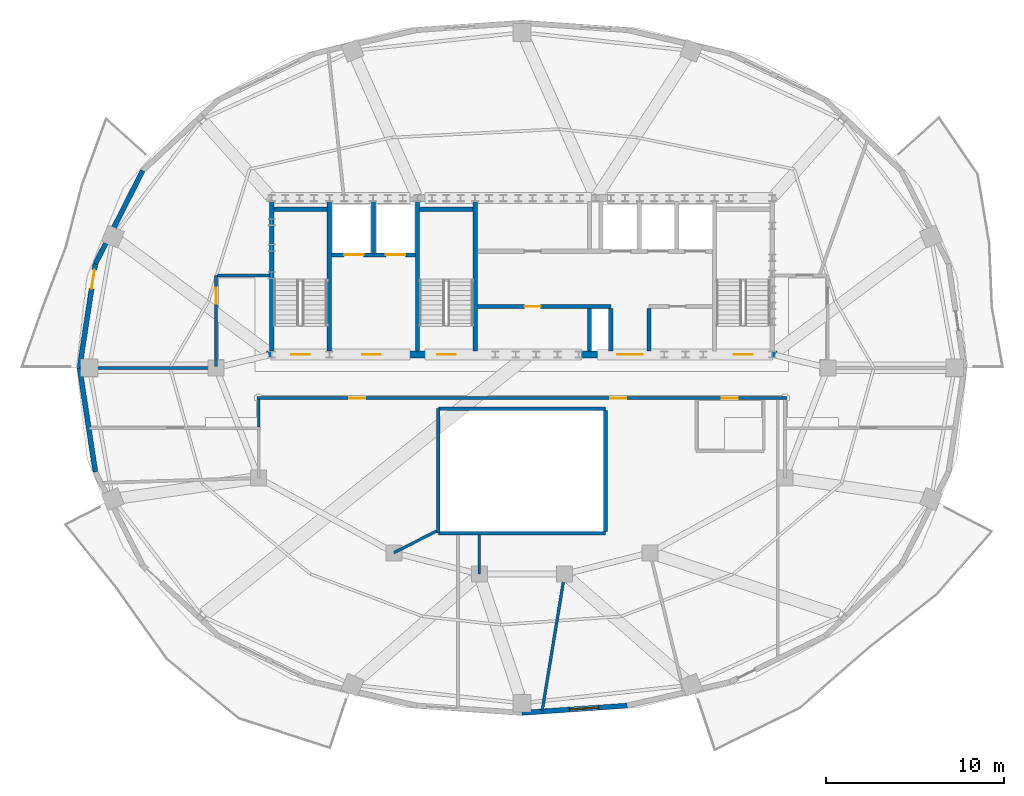
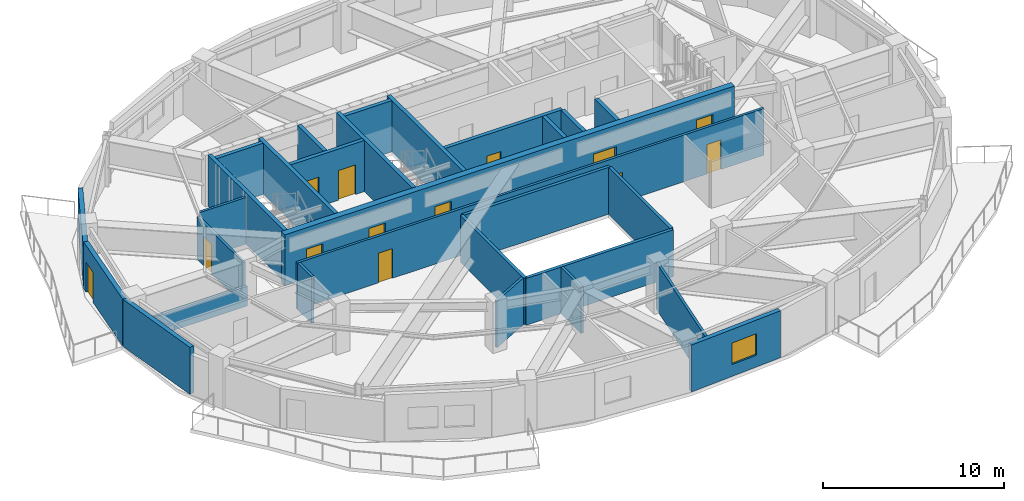
# One storey, part 4 of 10: 29 walls, 13 doors, 1 window, 14 openings.
"""IFC4 building model written with IfcOpenShell, lengths in metres."""

from ifc_helpers import new_model, si_unit, direction, frame, frame_2d, origin, place, context, subcontext, project, spatial, rectangle, extrude, material, layer, layer_set, type_object, element, fill, save


model = new_model("IFC4")

# Units and contexts
model_context = context("Model", 3, precision=1e-05, world=origin(), true_north=direction((0.0, 1.0)))
body_context = subcontext(model_context, "Body", "Model", "MODEL_VIEW")
ifc_project = project(units=[si_unit("LENGTHUNIT", "METRE"), si_unit("AREAUNIT", "SQUARE_METRE"), si_unit("VOLUMEUNIT", "CUBIC_METRE"), si_unit("PLANEANGLEUNIT", "RADIAN"), si_unit("MASSUNIT", "GRAM", prefix="KILO")], contexts=[model_context])

# Site, building, storey
site_placement = place(None, origin())
site = spatial("IfcSite", under=ifc_project, at=site_placement, CompositionType="ELEMENT")
building_placement = place(site_placement, origin())
building = spatial("IfcBuilding", under=site, at=building_placement, Name="Haldorwick Loom Tower", CompositionType="ELEMENT")
storey_placement = place(building_placement, frame((0.0, 0.0, 269.550048828125)))
storey = spatial("IfcBuildingStorey", under=building, at=storey_placement, Name="L73", CompositionType="ELEMENT", Elevation=269.550048828125)

# Wall
ifc_material_1 = material(Name="Pressed Clay Face Brick and Insulated Masonry Backup Assembly", Category="masonry")
ifc_layer_1 = layer(ifc_material_1, 0.280029296875, Name="Pressed Clay Face Brick and Insulated Masonry Backup Assembly", Category="masonry")
ifc_layer_set_1 = layer_set([ifc_layer_1], Name="Pressed Clay Face Brick and Insulated Masonry Backup Assembly")
wall_type_1 = type_object("IfcWallType", Name="ARC-WL-EXT280", PredefinedType="STANDARD", material=ifc_layer_set_1)
wall_1_placement = place(storey_placement, frame((14.677490234375, 37.08984375, 0.0), z_axis=(0.0, 0.0, 1.0), x_axis=(-0.453100705059, -0.89145933787, 0.0)))
element("IfcWall", 1, at=wall_1_placement, inside=storey, type_object=wall_type_1, Name="L73 Brick Pier and Spandrel Wall 11", PredefinedType="STANDARD", context=body_context, shape_type="SweptSolid", body=[
    extrude(rectangle(XDim=5.879150390625, YDim=0.280029296875, at=frame_2d((2.939453125, 0.0))), origin(), (0.0, 0.0, 1.0), 2.678955078125),
])

# Wall, opening, door
wall_2_placement = place(storey_placement, frame((12.013671875, 31.848876953125, 0.0), z_axis=(0.0, 0.0, 1.0), x_axis=(-0.150497234153, -0.988610430105, 0.0)))
wall_2 = element("IfcWall", 2, at=wall_2_placement, inside=storey, type_object=wall_type_1, Name="L73 Brick Pier and Spandrel Wall 12", PredefinedType="STANDARD", context=body_context, shape_type="SweptSolid", body=[
    extrude(rectangle(XDim=5.916259765625, YDim=0.280029296875, at=frame_2d((2.9580078125, 0.0))), origin(), (0.0, 0.0, 1.0), 3.169921875),
])
opening_1_placement = place(wall_2_placement, frame((0.340087890625, 0.0, 0.0)))
opening_1 = element("IfcOpeningElement", 3, at=opening_1_placement, cuts=wall_2, Name="Opening D-BL11", PredefinedType="OPENING", context=body_context, shape_type="SweptSolid", body=[
    extrude(rectangle(XDim=1.080078125, YDim=2.0400390625, at=frame_2d((0.5400390625, 1.02001953125))), frame((0.0, 0.14990234375, 0.0), z_axis=(0.0, -1.0, 0.0), x_axis=(1.0, 0.0, 0.0)), (0.0, 0.0, 1.0), 0.300048828125),
])
ifc_material_2 = material(Name="Thermally Broken Anodized Aluminium Curtain Wall Framing", Category="aluminium")
door_type_1 = type_object("IfcDoorType", Name="ARC-DR-BAL110", OperationType="NOTDEFINED", PredefinedType="DOOR", material=ifc_material_2)
door_1_placement = place(opening_1_placement, origin())
door_1 = element("IfcDoor", 4, at=door_1_placement, inside=storey, type_object=door_type_1, Name="L73 Outdoor Terrace Door SLB-L73-BAL_WNW", OperationType="SINGLE_SWING_RIGHT", OverallHeight=2.0400390625, OverallWidth=1.080078125, PredefinedType="DOOR", context=body_context, shape_type="SweptSolid", body=[
    extrude(rectangle(XDim=1.080078125, YDim=2.0400390625, at=frame_2d((0.5400390625, 1.02001953125))), frame((0.0, 0.02490234375, 0.0), z_axis=(0.0, -1.0, 0.0), x_axis=(1.0, 0.0, 0.0)), (0.0, 0.0, 1.0), 0.050048828125),
])
fill(opening_1, door_1)

# Wall
wall_3_placement = place(storey_placement, frame((11.123291015625, 26.0, 0.0), z_axis=(0.0, 0.0, 1.0), x_axis=(0.150497234153, -0.988610430105, 0.0)))
element("IfcWall", 5, at=wall_3_placement, inside=storey, type_object=wall_type_1, Name="L73 Brick Pier and Spandrel Wall 13", PredefinedType="STANDARD", context=body_context, shape_type="SweptSolid", body=[
    extrude(rectangle(XDim=5.916259765625, YDim=0.280029296875, at=frame_2d((2.9580078125, 0.0))), origin(), (0.0, 0.0, 1.0), 3.169921875),
])

# Wall, opening, window
wall_4_placement = place(storey_placement, frame((36.0, 6.60009765625, 0.0), z_axis=(0.0, 0.0, 1.0), x_axis=(0.997656066566, 0.068427865986, 0.0)))
wall_4 = element("IfcWall", 6, at=wall_4_placement, inside=storey, type_object=wall_type_1, Name="L73 Brick Pier and Spandrel Wall 19", PredefinedType="STANDARD", context=body_context, shape_type="SweptSolid", body=[
    extrude(rectangle(XDim=5.933349609375, YDim=0.280029296875, at=frame_2d((2.966796875, 0.0))), origin(), (0.0, 0.0, 1.0), 3.169921875),
])
opening_2_placement = place(wall_4_placement, frame((2.68212890625, 0.0, 0.800048828125)))
opening_2 = element("IfcOpeningElement", 7, at=opening_2_placement, cuts=wall_4, Name="Opening W-01B", PredefinedType="OPENING", context=body_context, shape_type="SweptSolid", body=[
    extrude(rectangle(XDim=1.64990234375, YDim=1.449951171875, at=frame_2d((0.824951171875, 0.72509765625))), frame((0.0, 0.14990234375, 0.0), z_axis=(0.0, -1.0, 0.0), x_axis=(1.0, 0.0, 0.0)), (0.0, 0.0, 1.0), 0.300048828125),
])
ifc_material_3 = material(Name="Triple-Glazed Low-E Argon Insulated Glazing Unit", Category="glass")
window_type = type_object("IfcWindowType", Name="ARC-WIN-W165", PartitioningType="SINGLE_PANEL", PredefinedType="WINDOW", material=ifc_material_3)
window_placement = place(opening_2_placement, origin())
window = element("IfcWindow", 8, at=window_placement, inside=storey, type_object=window_type, Name="L73 Deep-Set Zone 7A Window 19", OverallHeight=1.449951171875, OverallWidth=1.64990234375, PartitioningType="SINGLE_PANEL", PredefinedType="WINDOW", context=body_context, shape_type="SweptSolid", body=[
    extrude(rectangle(XDim=1.64990234375, YDim=1.449951171875, at=frame_2d((0.824951171875, 0.72509765625))), frame((0.0, 0.030029296875, 0.0), z_axis=(0.0, -1.0, 0.0), x_axis=(1.0, 0.0, 0.0)), (0.0, 0.0, 1.0), 0.06005859375),
])
fill(opening_2, window)

# Wall, openings, doors
ifc_material_4 = material(Name="Fire-Rated Type X Gypsum Stud Assembly EI 60")
ifc_layer_2 = layer(ifc_material_4, 0.159912109375, Name="Fire-Rated Type X Gypsum Stud Assembly EI 60")
ifc_layer_set_2 = layer_set([ifc_layer_2], Name="Fire-Rated Type X Gypsum Stud Assembly EI 60")
wall_type_2 = type_object("IfcWallType", Name="ARC-WL-FIRE160", PredefinedType="PARTITIONING", material=ifc_layer_set_2)
wall_5_placement = place(storey_placement, frame((21.10009765625, 24.300048828125, 0.0), z_axis=(0.0, 0.0, 1.0), x_axis=(1.0, 0.0, 0.0)))
wall_5 = element("IfcWall", 9, at=wall_5_placement, inside=storey, type_object=wall_type_2, Name="L73 Residential Fire Partition L73-CR-SP", PredefinedType="PARTITIONING", context=body_context, shape_type="SweptSolid", body=[
    extrude(rectangle(XDim=29.7998046875, YDim=0.159912109375, at=frame_2d((14.89990234375, 0.0))), origin(), (0.0, 0.0, 1.0), 3.155029296875),
])
opening_3_placement = place(wall_5_placement, frame((19.858154296875, 0.0, 0.0)))
opening_3 = element("IfcOpeningElement", 10, at=opening_3_placement, cuts=wall_5, Name="Opening D-FD60A", PredefinedType="OPENING", context=body_context, shape_type="SweptSolid", body=[
    extrude(rectangle(XDim=0.89990234375, YDim=2.0, at=frame_2d((0.449951171875, 1.0))), frame((0.0, 0.08984375, 0.0), z_axis=(0.0, -1.0, 0.0), x_axis=(1.0, 0.0, 0.0)), (0.0, 0.0, 1.0), 0.179931640625),
])
opening_4_placement = place(wall_5_placement, frame((5.178955078125, 0.0, 0.0)))
opening_4 = element("IfcOpeningElement", 11, at=opening_4_placement, cuts=wall_5, Name="Opening D-FD60A", PredefinedType="OPENING", context=body_context, shape_type="SweptSolid", body=[
    extrude(rectangle(XDim=0.89990234375, YDim=2.0, at=frame_2d((0.449951171875, 1.0))), frame((0.0, 0.08984375, 0.0), z_axis=(0.0, -1.0, 0.0), x_axis=(1.0, 0.0, 0.0)), (0.0, 0.0, 1.0), 0.179931640625),
])
opening_5_placement = place(wall_5_placement, frame((26.1494140625, 0.0, 0.0)))
opening_5 = element("IfcOpeningElement", 12, at=opening_5_placement, cuts=wall_5, Name="Opening D-FD60A", PredefinedType="OPENING", context=body_context, shape_type="SweptSolid", body=[
    extrude(rectangle(XDim=0.89990234375, YDim=2.0, at=frame_2d((0.449951171875, 1.0))), frame((0.0, 0.08984375, 0.0), z_axis=(0.0, -1.0, 0.0), x_axis=(1.0, 0.0, 0.0)), (0.0, 0.0, 1.0), 0.179931640625),
])
ifc_material_5 = material(Name="Hollow Steel Fire Door Assembly", Category="steel")
door_type_2 = type_object("IfcDoorType", Name="ARC-DR-FD60-90", OperationType="NOTDEFINED", PredefinedType="DOOR", material=ifc_material_5)
door_2_placement = place(opening_3_placement, origin())
door_2 = element("IfcDoor", 13, at=door_2_placement, inside=storey, type_object=door_type_2, Name="L73 L73 Central Residential Corridor to Shared Resident Dining Hall 6 Do", OperationType="SINGLE_SWING_LEFT", OverallHeight=2.0, OverallWidth=0.89990234375, PredefinedType="DOOR", context=body_context, shape_type="SweptSolid", body=[
    extrude(rectangle(XDim=0.89990234375, YDim=2.0, at=frame_2d((0.449951171875, 1.0))), frame((0.0, 0.02490234375, 0.0), z_axis=(0.0, -1.0, 0.0), x_axis=(1.0, 0.0, 0.0)), (0.0, 0.0, 1.0), 0.050048828125),
])
fill(opening_3, door_2)
door_3_placement = place(opening_4_placement, origin())
door_3 = element("IfcDoor", 14, at=door_3_placement, inside=storey, type_object=door_type_2, Name="L73 L73 Central Residential Corridor to Shared Resident Dining Hall 2 Do", OperationType="SINGLE_SWING_RIGHT", OverallHeight=2.0, OverallWidth=0.89990234375, PredefinedType="DOOR", context=body_context, shape_type="SweptSolid", body=[
    extrude(rectangle(XDim=0.89990234375, YDim=2.0, at=frame_2d((0.449951171875, 1.0))), frame((0.0, 0.02490234375, 0.0), z_axis=(0.0, -1.0, 0.0), x_axis=(1.0, 0.0, 0.0)), (0.0, 0.0, 1.0), 0.050048828125),
])
fill(opening_4, door_3)
door_4_placement = place(opening_5_placement, origin())
door_4 = element("IfcDoor", 15, at=door_4_placement, inside=storey, type_object=door_type_2, Name="L73 L73 Central Residential Corridor to Common Accessible WC Door", OperationType="SINGLE_SWING_LEFT", OverallHeight=2.0, OverallWidth=0.89990234375, PredefinedType="DOOR", context=body_context, shape_type="SweptSolid", body=[
    extrude(rectangle(XDim=0.89990234375, YDim=2.0, at=frame_2d((0.449951171875, 1.0))), frame((0.0, 0.02490234375, 0.0), z_axis=(0.0, -1.0, 0.0), x_axis=(1.0, 0.0, 0.0)), (0.0, 0.0, 1.0), 0.050048828125),
])
fill(opening_5, door_4)

# Walls
wall_6_placement = place(storey_placement, frame((21.199951171875, 22.68310546875, 0.0), z_axis=(0.0, 0.0, 1.0), x_axis=(0.0, 1.0, 0.0)))
element("IfcWall", 16, at=wall_6_placement, inside=storey, type_object=wall_type_2, Name="L73 Residential Fire Partition L73-CR-STW", PredefinedType="PARTITIONING", context=body_context, shape_type="SweptSolid", body=[
    extrude(rectangle(XDim=1.533935546875, YDim=0.159912109375, at=frame_2d((0.76708984375, 0.0))), origin(), (0.0, 0.0, 1.0), 3.155029296875),
])
wall_7_placement = place(storey_placement, frame((11.169677734375, 26.0, 0.0), z_axis=(0.0, 0.0, 1.0), x_axis=(1.0, 0.0, 0.0)))
element("IfcWall", 17, at=wall_7_placement, inside=storey, type_object=wall_type_2, Name="L73 Residential Fire Partition L73-CR-NWL", PredefinedType="PARTITIONING", context=body_context, shape_type="SweptSolid", body=[
    extrude(rectangle(XDim=7.730224609375, YDim=0.159912109375, at=frame_2d((3.865234375, 0.0))), origin(), (0.0, 0.0, 1.0), 1.344970703125),
])

# Wall, opening, door
wall_8_placement = place(storey_placement, frame((18.800048828125, 26.0830078125, 0.0), z_axis=(0.0, 0.0, 1.0), x_axis=(0.0, 1.0, 0.0)))
wall_8 = element("IfcWall", 18, at=wall_8_placement, inside=storey, type_object=wall_type_2, Name="L73 Residential Fire Partition L73-CR-W0", PredefinedType="PARTITIONING", context=body_context, shape_type="SweptSolid", body=[
    extrude(rectangle(XDim=5.116943359375, YDim=0.159912109375, at=frame_2d((2.55859375, 0.0))), origin(), (0.0, 0.0, 1.0), 2.886962890625),
])
opening_6_placement = place(wall_8_placement, frame((3.517333984375, 0.0, 0.0)))
opening_6 = element("IfcOpeningElement", 19, at=opening_6_placement, cuts=wall_8, Name="Opening D-FD60A", PredefinedType="OPENING", context=body_context, shape_type="SweptSolid", body=[
    extrude(rectangle(XDim=0.89990234375, YDim=2.0, at=frame_2d((0.449951171875, 1.0))), frame((0.0, 0.08984375, 0.0), z_axis=(0.0, -1.0, 0.0), x_axis=(1.0, 0.0, 0.0)), (0.0, 0.0, 1.0), 0.179931640625),
])
door_5_placement = place(opening_6_placement, frame((0.89990234375, 0.0, 0.0), z_axis=(0.0, 0.0, 1.0), x_axis=(-1.0, 0.0, 0.0)))
door_5 = element("IfcDoor", 20, at=door_5_placement, inside=storey, type_object=door_type_2, Name="L73 Shared Resident Dining Hall 2 to L73 Central Residential Corridor Do", OperationType="SINGLE_SWING_LEFT", OverallHeight=2.0, OverallWidth=0.89990234375, PredefinedType="DOOR", context=body_context, shape_type="SweptSolid", body=[
    extrude(rectangle(XDim=0.89990234375, YDim=2.0, at=frame_2d((0.449951171875, 1.0))), frame((0.0, 0.02490234375, 0.0), z_axis=(0.0, -1.0, 0.0), x_axis=(1.0, 0.0, 0.0)), (0.0, 0.0, 1.0), 0.050048828125),
])
fill(opening_6, door_5)

# Walls
wall_9_placement = place(storey_placement, frame((18.883056640625, 31.199951171875, 0.0), z_axis=(0.0, 0.0, 1.0), x_axis=(1.0, 0.0, 0.0)))
element("IfcWall", 21, at=wall_9_placement, inside=storey, type_object=wall_type_2, Name="L73 Residential Fire Partition L73-CR-WNJ", PredefinedType="PARTITIONING", context=body_context, shape_type="SweptSolid", body=[
    extrude(rectangle(XDim=2.923828125, YDim=0.159912109375, at=frame_2d((1.4619140625, 0.0))), origin(), (0.0, 0.0, 1.0), 3.155029296875),
])
wall_10_placement = place(storey_placement, frame((38.39990234375, 14.39990234375, 0.0), z_axis=(0.0, 0.0, 1.0), x_axis=(-0.161756989639, -0.986830621892, 0.0)))
element("IfcWall", 22, at=wall_10_placement, inside=storey, type_object=wall_type_2, Name="L73 Residential Fire Partition L73-ICR-05", PredefinedType="PARTITIONING", context=body_context, shape_type="SweptSolid", body=[
    extrude(rectangle(XDim=7.779052734375, YDim=0.159912109375, at=frame_2d((3.8896484375, 0.0))), origin(), (0.0, 0.0, 1.0), 3.155029296875),
])
wall_11_placement = place(storey_placement, frame((33.60009765625, 16.596923828125, 0.0), z_axis=(0.0, 0.0, 1.0), x_axis=(0.0, -1.0, 0.0)))
element("IfcWall", 23, at=wall_11_placement, inside=storey, type_object=wall_type_2, Name="L73 Residential Fire Partition L73-ICA-06", PredefinedType="PARTITIONING", context=body_context, shape_type="SweptSolid", body=[
    extrude(rectangle(XDim=2.197021484375, YDim=0.159912109375, at=frame_2d((1.0986328125, 0.0))), origin(), (0.0, 0.0, 1.0), 3.155029296875),
])
wall_12_placement = place(storey_placement, frame((31.197021484375, 16.822021484375, 0.0), z_axis=(0.0, 0.0, 1.0), x_axis=(-0.890915506237, -0.454169088278, 0.0)))
element("IfcWall", 24, at=wall_12_placement, inside=storey, type_object=wall_type_2, Name="L73 Residential Fire Partition L73-ICA-07", PredefinedType="PARTITIONING", context=body_context, shape_type="SweptSolid", body=[
    extrude(rectangle(XDim=2.6904296875, YDim=0.159912109375, at=frame_2d((1.34521484375, 0.0))), origin(), (0.0, 0.0, 1.0), 3.155029296875),
])
ifc_material_6 = material(Name="Fire-Rated Type X Gypsum Stud Assembly EI 120")
ifc_layer_3 = layer(ifc_material_6, 0.199951171875, Name="Fire-Rated Type X Gypsum Stud Assembly EI 120")
ifc_layer_set_3 = layer_set([ifc_layer_3], Name="Fire-Rated Type X Gypsum Stud Assembly EI 120")
wall_type_3 = type_object("IfcWallType", Name="ARC-WL-FIRE200", PredefinedType="PARTITIONING", material=ifc_layer_set_3)
for number, where, z_axis, x_axis, name in (
    (25, (31.300048828125, 23.699951171875, 0.0), (0.0, 0.0, 1.0), (1.0, 0.0, 0.0), "L73 Atrium Fire Enclosure Wall N"),
    (26, (40.699951171875, 16.699951171875, 0.0), (0.0, 0.0, 1.0), (-1.0, 0.0, 0.0), "L73 Atrium Fire Enclosure Wall S"),
):
    element("IfcWall", number, at=place(storey_placement, frame(where, z_axis=z_axis, x_axis=x_axis)), inside=storey, type_object=wall_type_3, Name=name, PredefinedType="PARTITIONING", context=body_context, shape_type="SweptSolid", body=[
        extrude(rectangle(XDim=9.39990234375, YDim=0.199951171875, at=frame_2d((4.699951171875, 0.0))), origin(), (0.0, 0.0, 1.0), 3.155029296875),
    ])
wall_13_placement = place(storey_placement, frame((31.300048828125, 16.699951171875, 0.0), z_axis=(0.0, 0.0, 1.0), x_axis=(0.0, 1.0, 0.0)))
element("IfcWall", 27, at=wall_13_placement, inside=storey, type_object=wall_type_3, Name="L73 Atrium Fire Enclosure Wall W", PredefinedType="PARTITIONING", context=body_context, shape_type="SweptSolid", body=[
    extrude(rectangle(XDim=7.0, YDim=0.199951171875, at=frame_2d((3.5, 0.0))), origin(), (0.0, 0.0, 1.0), 3.155029296875),
])
wall_14_placement = place(storey_placement, frame((40.699951171875, 23.596923828125, 0.0), z_axis=(0.0, 0.0, 1.0), x_axis=(0.0, -1.0, 0.0)))
element("IfcWall", 28, at=wall_14_placement, inside=storey, type_object=wall_type_3, Name="L73 Atrium Fire Enclosure Wall E", PredefinedType="PARTITIONING", context=body_context, shape_type="SweptSolid", body=[
    extrude(rectangle(XDim=6.7939453125, YDim=0.199951171875, at=frame_2d((3.39697265625, 0.0))), origin(), (0.0, 0.0, 1.0), 3.155029296875),
])

# Wall, openings, doors
ifc_material_7 = material(Name="Concrete C50 (50 MPa)", Category="concrete")
ifc_layer_4 = layer(ifc_material_7, 0.39990234375, Name="Concrete C50 (50 MPa)", Category="concrete")
ifc_layer_set_4 = layer_set([ifc_layer_4], Name="Concrete C50 (50 MPa)")
wall_type_4 = type_object("IfcWallType", Name="STR-WL-CORE400", PredefinedType="SHEAR", material=ifc_layer_set_4)
wall_15_placement = place(storey_placement, frame((21.64990234375, 26.75, 0.0), z_axis=(0.0, 0.0, 1.0), x_axis=(1.0, 0.0, 0.0)))
wall_15 = element("IfcWall", 29, at=wall_15_placement, inside=storey, type_object=wall_type_4, Name="L73 Core Shear Wall S", PredefinedType="SHEAR", context=body_context, shape_type="SweptSolid", body=[
    extrude(rectangle(XDim=28.7001953125, YDim=0.39990234375, at=frame_2d((14.35009765625, 0.0))), origin(), (0.0, 0.0, 1.0), 3.449951171875),
])
opening_7_placement = place(wall_15_placement, frame((1.375, 0.0, 0.0)))
opening_7 = element("IfcOpeningElement", 30, at=opening_7_placement, cuts=wall_15, Name="Opening D-FD60", PredefinedType="OPENING", context=body_context, shape_type="SweptSolid", body=[
    extrude(rectangle(XDim=1.050048828125, YDim=2.0, at=frame_2d((0.52490234375, 1.0))), frame((0.0, 0.2099609375, 0.0), z_axis=(0.0, -1.0, 0.0), x_axis=(1.0, 0.0, 0.0)), (0.0, 0.0, 1.0), 0.419921875),
])
opening_8_placement = place(wall_15_placement, frame((5.375, 0.0, 0.0)))
opening_8 = element("IfcOpeningElement", 31, at=opening_8_placement, cuts=wall_15, Name="Opening D-FD60", PredefinedType="OPENING", context=body_context, shape_type="SweptSolid", body=[
    extrude(rectangle(XDim=1.050048828125, YDim=2.0, at=frame_2d((0.52490234375, 1.0))), frame((0.0, 0.2099609375, 0.0), z_axis=(0.0, -1.0, 0.0), x_axis=(1.0, 0.0, 0.0)), (0.0, 0.0, 1.0), 0.419921875),
])
opening_9_placement = place(wall_15_placement, frame((9.574951171875, 0.0, 0.0)))
opening_9 = element("IfcOpeningElement", 32, at=opening_9_placement, cuts=wall_15, Name="Opening D-FD60", PredefinedType="OPENING", context=body_context, shape_type="SweptSolid", body=[
    extrude(rectangle(XDim=1.050048828125, YDim=2.0, at=frame_2d((0.52490234375, 1.0))), frame((0.0, 0.2099609375, 0.0), z_axis=(0.0, -1.0, 0.0), x_axis=(1.0, 0.0, 0.0)), (0.0, 0.0, 1.0), 0.419921875),
])
opening_10_placement = place(wall_15_placement, frame((19.705078125, 0.0, 0.0)))
opening_10 = element("IfcOpeningElement", 33, at=opening_10_placement, cuts=wall_15, Name="Opening D-LB15", PredefinedType="OPENING", context=body_context, shape_type="SweptSolid", body=[
    extrude(rectangle(XDim=1.449951171875, YDim=2.0, at=frame_2d((0.72509765625, 1.0))), frame((0.0, 0.2099609375, 0.0), z_axis=(0.0, -1.0, 0.0), x_axis=(1.0, 0.0, 0.0)), (0.0, 0.0, 1.0), 0.419921875),
])
opening_11_placement = place(wall_15_placement, frame((26.27490234375, 0.0, 0.0)))
opening_11 = element("IfcOpeningElement", 34, at=opening_11_placement, cuts=wall_15, Name="Opening D-FD60", PredefinedType="OPENING", context=body_context, shape_type="SweptSolid", body=[
    extrude(rectangle(XDim=1.050048828125, YDim=2.0, at=frame_2d((0.52490234375, 1.0))), frame((0.0, 0.2099609375, 0.0), z_axis=(0.0, -1.0, 0.0), x_axis=(1.0, 0.0, 0.0)), (0.0, 0.0, 1.0), 0.419921875),
])
door_type_3 = type_object("IfcDoorType", Name="ARC-DR-FD60", OperationType="NOTDEFINED", PredefinedType="DOOR", material=ifc_material_5)
door_6_placement = place(opening_7_placement, origin())
door_6 = element("IfcDoor", 35, at=door_6_placement, inside=storey, type_object=door_type_3, Name="L73 Exit Stair ST-01 Fire Door", OperationType="SINGLE_SWING_LEFT", OverallHeight=2.0, OverallWidth=1.050048828125, PredefinedType="DOOR", context=body_context, shape_type="SweptSolid", body=[
    extrude(rectangle(XDim=1.050048828125, YDim=2.0, at=frame_2d((0.52490234375, 1.0))), frame((0.0, 0.02490234375, 0.0), z_axis=(0.0, -1.0, 0.0), x_axis=(1.0, 0.0, 0.0)), (0.0, 0.0, 1.0), 0.050048828125),
])
fill(opening_7, door_6)
door_7_placement = place(opening_8_placement, origin())
door_7 = element("IfcDoor", 36, at=door_7_placement, inside=storey, type_object=door_type_3, Name="L73 Firefighting Lift Lobby Fire Door", OperationType="SINGLE_SWING_RIGHT", OverallHeight=2.0, OverallWidth=1.050048828125, PredefinedType="DOOR", context=body_context, shape_type="SweptSolid", body=[
    extrude(rectangle(XDim=1.050048828125, YDim=2.0, at=frame_2d((0.52490234375, 1.0))), frame((0.0, 0.02490234375, 0.0), z_axis=(0.0, -1.0, 0.0), x_axis=(1.0, 0.0, 0.0)), (0.0, 0.0, 1.0), 0.050048828125),
])
fill(opening_8, door_7)
door_8_placement = place(opening_9_placement, origin())
door_8 = element("IfcDoor", 37, at=door_8_placement, inside=storey, type_object=door_type_3, Name="L73 Exit Stair ST-03 Fire Door", OperationType="SINGLE_SWING_LEFT", OverallHeight=2.0, OverallWidth=1.050048828125, PredefinedType="DOOR", context=body_context, shape_type="SweptSolid", body=[
    extrude(rectangle(XDim=1.050048828125, YDim=2.0, at=frame_2d((0.52490234375, 1.0))), frame((0.0, 0.02490234375, 0.0), z_axis=(0.0, -1.0, 0.0), x_axis=(1.0, 0.0, 0.0)), (0.0, 0.0, 1.0), 0.050048828125),
])
fill(opening_9, door_8)
door_9_placement = place(opening_11_placement, origin())
door_9 = element("IfcDoor", 38, at=door_9_placement, inside=storey, type_object=door_type_3, Name="L73 Exit Stair ST-02 Fire Door", OperationType="SINGLE_SWING_LEFT", OverallHeight=2.0, OverallWidth=1.050048828125, PredefinedType="DOOR", context=body_context, shape_type="SweptSolid", body=[
    extrude(rectangle(XDim=1.050048828125, YDim=2.0, at=frame_2d((0.52490234375, 1.0))), frame((0.0, 0.02490234375, 0.0), z_axis=(0.0, -1.0, 0.0), x_axis=(1.0, 0.0, 0.0)), (0.0, 0.0, 1.0), 0.050048828125),
])
fill(opening_11, door_9)
ifc_material_8 = material(Name="Thermally Broken Anodized Aluminium and Tempered Glass", Category="aluminium")
door_type_4 = type_object("IfcDoorType", Name="ARC-DR-LOB150", OperationType="NOTDEFINED", PredefinedType="DOOR", material=ifc_material_8)
door_10_placement = place(opening_10_placement, frame((1.449951171875, 0.0, 0.0), z_axis=(0.0, 0.0, 1.0), x_axis=(-1.0, 0.0, 0.0)))
door_10 = element("IfcDoor", 39, at=door_10_placement, inside=storey, type_object=door_type_4, Name="L73 Passenger Lift Lobby Fire Door", OperationType="DOUBLE_DOOR_SINGLE_SWING", OverallHeight=2.0, OverallWidth=1.449951171875, PredefinedType="DOOR", context=body_context, shape_type="SweptSolid", body=[
    extrude(rectangle(XDim=1.449951171875, YDim=2.0, at=frame_2d((0.72509765625, 1.0))), frame((0.0, 0.02490234375, 0.0), z_axis=(0.0, -1.0, 0.0), x_axis=(1.0, 0.0, 0.0)), (0.0, 0.0, 1.0), 0.050048828125),
])
fill(opening_10, door_10)

# Walls
ifc_layer_5 = layer(ifc_material_7, 0.239990234375, Name="Concrete C50 (50 MPa)", Category="concrete")
ifc_layer_set_5 = layer_set([ifc_layer_5], Name="Concrete C50 (50 MPa)")
wall_type_5 = type_object("IfcWallType", Name="STR-WL-SHAFT240", PredefinedType="SHEAR", material=ifc_layer_set_5)
for number, where, z_axis, x_axis, name in (
    (40, (21.929931640625, 35.346923828125, 0.0), (0.0, 0.0, 1.0), (0.0, -1.0, 0.0), "L73 Core Shear Wall W"),
    (41, (25.169921875, 26.952880859375, 0.0), (0.0, 0.0, 1.0), (0.0, 1.0, 0.0), "L73 Core Shear Wall 1"),
):
    element("IfcWall", number, at=place(storey_placement, frame(where, z_axis=z_axis, x_axis=x_axis)), inside=storey, type_object=wall_type_5, Name=name, PredefinedType="SHEAR", context=body_context, shape_type="SweptSolid", body=[
        extrude(rectangle(XDim=8.39404296875, YDim=0.239990234375, at=frame_2d((4.197021484375, 0.0))), origin(), (0.0, 0.0, 1.0), 3.449951171875),
    ])
wall_16_placement = place(storey_placement, frame((22.052978515625, 34.919921875, 0.0), z_axis=(0.0, 0.0, 1.0), x_axis=(1.0, 0.0, 0.0)))
element("IfcWall", 42, at=wall_16_placement, inside=storey, type_object=wall_type_5, Name="L73 Core Shear Wall 1N", PredefinedType="SHEAR", context=body_context, shape_type="SweptSolid", body=[
    extrude(rectangle(XDim=2.994140625, YDim=0.239990234375, at=frame_2d((1.4970703125, 0.0))), origin(), (0.0, 0.0, 1.0), 3.449951171875),
])
for number, where, z_axis, x_axis, name in (
    (43, (30.1298828125, 26.952880859375, 0.0), (0.0, 0.0, 1.0), (0.0, 1.0, 0.0), "L73 Core Shear Wall 2"),
    (44, (33.3701171875, 26.952880859375, 0.0), (0.0, 0.0, 1.0), (0.0, 1.0, 0.0), "L73 Core Shear Wall 3"),
):
    element("IfcWall", number, at=place(storey_placement, frame(where, z_axis=z_axis, x_axis=x_axis)), inside=storey, type_object=wall_type_5, Name=name, PredefinedType="SHEAR", context=body_context, shape_type="SweptSolid", body=[
        extrude(rectangle(XDim=8.39404296875, YDim=0.239990234375, at=frame_2d((4.197021484375, 0.0))), origin(), (0.0, 0.0, 1.0), 3.449951171875),
    ])
wall_17_placement = place(storey_placement, frame((30.2529296875, 34.919921875, 0.0), z_axis=(0.0, 0.0, 1.0), x_axis=(1.0, 0.0, 0.0)))
element("IfcWall", 45, at=wall_17_placement, inside=storey, type_object=wall_type_5, Name="L73 Core Shear Wall 3N", PredefinedType="SHEAR", context=body_context, shape_type="SweptSolid", body=[
    extrude(rectangle(XDim=2.994140625, YDim=0.239990234375, at=frame_2d((1.4970703125, 0.0))), origin(), (0.0, 0.0, 1.0), 3.449951171875),
])

# Wall, openings, doors
wall_18_placement = place(storey_placement, frame((25.29296875, 32.35009765625, 0.0), z_axis=(0.0, 0.0, 1.0), x_axis=(1.0, 0.0, 0.0)))
wall_18 = element("IfcWall", 46, at=wall_18_placement, inside=storey, type_object=wall_type_5, Name="L73 Core Shear Wall FF", PredefinedType="SHEAR", context=body_context, shape_type="SweptSolid", body=[
    extrude(rectangle(XDim=4.714111328125, YDim=0.239990234375, at=frame_2d((2.35693359375, 0.0))), origin(), (0.0, 0.0, 1.0), 3.449951171875),
])
opening_12_placement = place(wall_18_placement, frame((0.70703125, 0.0, 0.0)))
opening_12 = element("IfcOpeningElement", 47, at=opening_12_placement, cuts=wall_18, Name="Opening LD-FF1", PredefinedType="OPENING", context=body_context, shape_type="SweptSolid", body=[
    extrude(rectangle(XDim=1.10009765625, YDim=2.0, at=frame_2d((0.550048828125, 1.0))), frame((0.0, 0.1298828125, 0.0), z_axis=(0.0, -1.0, 0.0), x_axis=(1.0, 0.0, 0.0)), (0.0, 0.0, 1.0), 0.260009765625),
])
opening_13_placement = place(wall_18_placement, frame((3.056884765625, 0.0, 0.0)))
opening_13 = element("IfcOpeningElement", 48, at=opening_13_placement, cuts=wall_18, Name="Opening LD-FF2", PredefinedType="OPENING", context=body_context, shape_type="SweptSolid", body=[
    extrude(rectangle(XDim=1.10009765625, YDim=2.0, at=frame_2d((0.550048828125, 1.0))), frame((0.0, 0.1298828125, 0.0), z_axis=(0.0, -1.0, 0.0), x_axis=(1.0, 0.0, 0.0)), (0.0, 0.0, 1.0), 0.260009765625),
])
door_type_5 = type_object("IfcDoorType", Name="ARC-DR-LD-FF", OperationType="NOTDEFINED", PredefinedType="USERDEFINED", material=ifc_material_5)
door_11_placement = place(opening_12_placement, origin())
door_11 = element("IfcDoor", 49, at=door_11_placement, inside=storey, type_object=door_type_5, Name="L73 Lift LF-FF1 Sliding Landing Door", ObjectType="LANDING DOOR", OperationType="DOUBLE_DOOR_SLIDING", OverallHeight=2.0, OverallWidth=1.10009765625, PredefinedType="USERDEFINED", context=body_context, shape_type="SweptSolid", body=[
    extrude(rectangle(XDim=1.10009765625, YDim=2.0, at=frame_2d((0.550048828125, 1.0))), frame((0.0, 0.02490234375, 0.0), z_axis=(0.0, -1.0, 0.0), x_axis=(1.0, 0.0, 0.0)), (0.0, 0.0, 1.0), 0.050048828125),
])
fill(opening_12, door_11)
door_12_placement = place(opening_13_placement, origin())
door_12 = element("IfcDoor", 50, at=door_12_placement, inside=storey, type_object=door_type_5, Name="L73 Lift LF-FF2 Sliding Landing Door", ObjectType="LANDING DOOR", OperationType="DOUBLE_DOOR_SLIDING", OverallHeight=2.0, OverallWidth=1.10009765625, PredefinedType="USERDEFINED", context=body_context, shape_type="SweptSolid", body=[
    extrude(rectangle(XDim=1.10009765625, YDim=2.0, at=frame_2d((0.550048828125, 1.0))), frame((0.0, 0.02490234375, 0.0), z_axis=(0.0, -1.0, 0.0), x_axis=(1.0, 0.0, 0.0)), (0.0, 0.0, 1.0), 0.050048828125),
])
fill(opening_13, door_12)

# Wall
wall_19_placement = place(storey_placement, frame((27.64990234375, 32.472900390625, 0.0), z_axis=(0.0, 0.0, 1.0), x_axis=(0.0, 1.0, 0.0)))
element("IfcWall", 51, at=wall_19_placement, inside=storey, type_object=wall_type_5, Name="L73 Core Shear Wall FFD", PredefinedType="SHEAR", context=body_context, shape_type="SweptSolid", body=[
    extrude(rectangle(XDim=2.8740234375, YDim=0.239990234375, at=frame_2d((1.43701171875, 0.0))), origin(), (0.0, 0.0, 1.0), 3.449951171875),
])

# Wall, opening, door
wall_20_placement = place(storey_placement, frame((33.492919921875, 29.449951171875, 0.0), z_axis=(0.0, 0.0, 1.0), x_axis=(1.0, 0.0, 0.0)))
wall_20 = element("IfcWall", 52, at=wall_20_placement, inside=storey, type_object=wall_type_5, Name="L73 Core Shear Wall LS1", PredefinedType="SHEAR", context=body_context, shape_type="SweptSolid", body=[
    extrude(rectangle(XDim=7.507080078125, YDim=0.239990234375, at=frame_2d((3.75341796875, 0.0))), origin(), (0.0, 0.0, 1.0), 3.449951171875),
])
opening_14_placement = place(wall_20_placement, frame((2.656982421875, 0.0, 0.0)))
opening_14 = element("IfcOpeningElement", 53, at=opening_14_placement, cuts=wall_20, Name="Opening D-FD60A", PredefinedType="OPENING", context=body_context, shape_type="SweptSolid", body=[
    extrude(rectangle(XDim=0.89990234375, YDim=2.0, at=frame_2d((0.449951171875, 1.0))), frame((0.0, 0.1298828125, 0.0), z_axis=(0.0, -1.0, 0.0), x_axis=(1.0, 0.0, 0.0)), (0.0, 0.0, 1.0), 0.260009765625),
])
door_13_placement = place(opening_14_placement, origin())
door_13 = element("IfcDoor", 54, at=door_13_placement, inside=storey, type_object=door_type_2, Name="L73 Switch Room Door", OperationType="SINGLE_SWING_RIGHT", OverallHeight=2.0, OverallWidth=0.89990234375, PredefinedType="DOOR", context=body_context, shape_type="SweptSolid", body=[
    extrude(rectangle(XDim=0.89990234375, YDim=2.0, at=frame_2d((0.449951171875, 1.0))), frame((0.0, 0.02490234375, 0.0), z_axis=(0.0, -1.0, 0.0), x_axis=(1.0, 0.0, 0.0)), (0.0, 0.0, 1.0), 0.050048828125),
])
fill(opening_14, door_13)

# Walls
for number, where, z_axis, x_axis, name in (
    (55, (41.0, 26.952880859375, 0.0), (0.0, 0.0, 1.0), (0.0, 1.0, 0.0), "L73 Core Shear Wall THW"),
    (56, (43.14990234375, 26.952880859375, 0.0), (0.0, 0.0, 1.0), (0.0, 1.0, 0.0), "L73 Core Shear Wall THE"),
    (57, (39.800048828125, 26.952880859375, 0.0), (0.0, 0.0, 1.0), (0.0, 1.0, 0.0), "L73 Core Shear Wall MRW"),
):
    element("IfcWall", number, at=place(storey_placement, frame(where, z_axis=z_axis, x_axis=x_axis)), inside=storey, type_object=wall_type_5, Name=name, PredefinedType="SHEAR", context=body_context, shape_type="SweptSolid", body=[
        extrude(rectangle(XDim=2.3740234375, YDim=0.239990234375, at=frame_2d((1.18701171875, 0.0))), origin(), (0.0, 0.0, 1.0), 3.449951171875),
    ])

save(model, "model.ifc")
